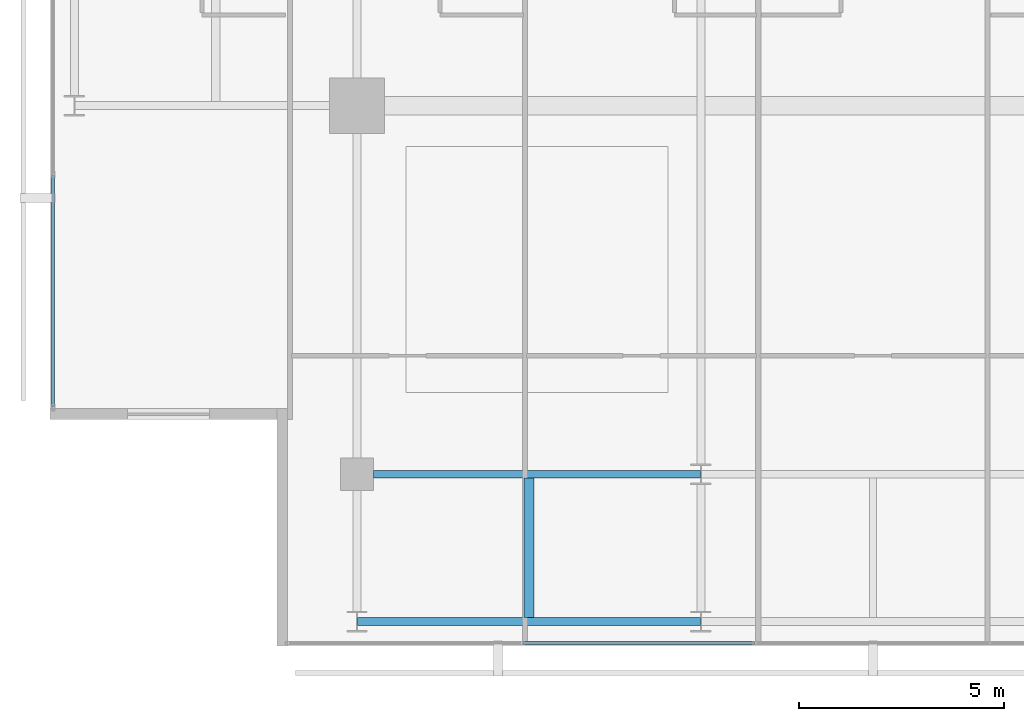
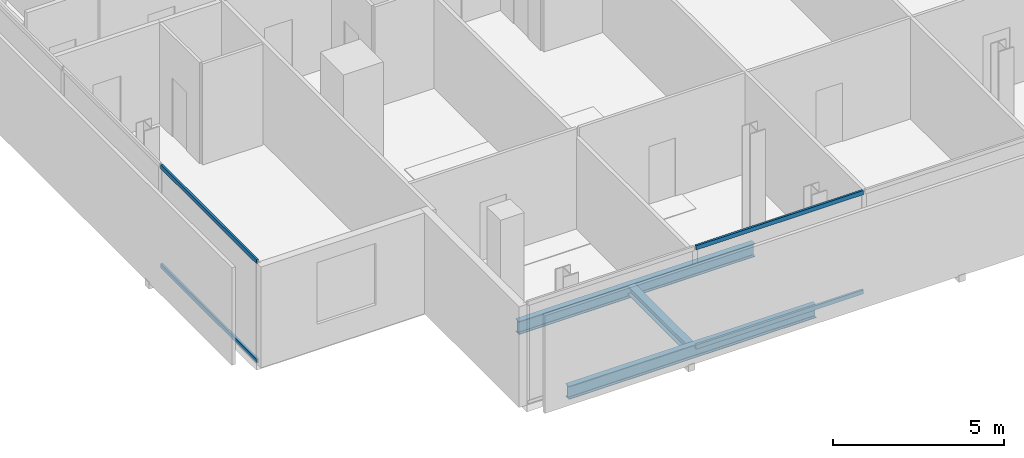
# One storey, part 3 of 24: 4 members, 3 beams, 2 elements without a shape of their own.
"""IFC4 building model written with IfcOpenShell, lengths in metres."""

from ifc_helpers import new_model, si_unit, direction, frame, origin, origin_2d, place, context, subcontext, project, spatial, hollow_rectangle, i_section, extrude, material, layer, layer_set, material_profile, profile_set, type_object, element, aggregate, save


model = new_model("IFC4")

# Units and contexts
model_context = context("Model", 3, precision=1e-05, world=origin(), true_north=direction((0.0, 1.0)))
body_context = subcontext(model_context, "Body", "Model", "MODEL_VIEW")
ifc_project = project(units=[si_unit("LENGTHUNIT", "METRE"), si_unit("AREAUNIT", "SQUARE_METRE"), si_unit("VOLUMEUNIT", "CUBIC_METRE"), si_unit("PLANEANGLEUNIT", "RADIAN"), si_unit("MASSUNIT", "GRAM", prefix="KILO")], contexts=[model_context])

# Site, building, storey
site_placement = place(None, origin())
site = spatial("IfcSite", under=ifc_project, at=site_placement, CompositionType="ELEMENT")
building_placement = place(site_placement, origin())
building = spatial("IfcBuilding", under=site, at=building_placement, Name="Maruvema Waterfront Hotel and Observation Tower", CompositionType="ELEMENT")
storey_placement = place(building_placement, frame((0.0, 0.0, 325.85009765625)))
storey = spatial("IfcBuildingStorey", under=building, at=storey_placement, Name="L80", CompositionType="ELEMENT", Elevation=325.85009765625)

# Curtain wall, members
ifc_material_1 = material(Name="Anodised bronze aluminium and solar-control low-E IGU", Category="aluminium")
ifc_layer = layer(ifc_material_1, 0.159912109375, Name="Zone 4 Sky Residence Inner Curtain Wall System CW-05")
ifc_layer_set = layer_set([ifc_layer], Name="Anodised bronze aluminium and solar-control low-E IGU")
curtain_wall_type = type_object("IfcCurtainWallType", Name="Zone 4 Sky Residence Inner Curtain Wall System CW-05", PredefinedType="USERDEFINED", material=ifc_layer_set)
curtain_wall_1_placement = place(storey_placement, origin())
curtain_wall_1 = element("IfcCurtainWall", 1, at=curtain_wall_1_placement, inside=storey, type_object=curtain_wall_type, Name="L80 Curtain Wall CW-L80-S", ObjectType="UNITISED CURTAIN WALL", PredefinedType="USERDEFINED")
ifc_material_2 = material(Name="Anodised architectural bronze aluminium", Category="aluminium")
ifc_material_profile_1 = material_profile(ifc_material_2, hollow_rectangle(XDim=0.070068359375, YDim=0.14990234375, WallThickness=0.00390625, at=origin_2d()), Name="ALU-T70x150")
ifc_profile_set_1 = profile_set([ifc_material_profile_1], Name="Anodised architectural bronze aluminium")
member_type = type_object("IfcMemberType", Name="Curtain Wall Horizontal Transom ALU-T70x150", PredefinedType="USERDEFINED", material=ifc_profile_set_1)
member_1_placement = place(storey_placement, frame((29.25, 13.8798828125, 0.02978515625), z_axis=(1.0, 0.0, 0.0), x_axis=(0.0, 1.0, 0.0)))
member_1 = element("IfcMember", 2, at=member_1_placement, type_object=member_type, Name="CW-05 transom 2.1", ObjectType="TRANSOM", PredefinedType="USERDEFINED", context=body_context, shape_type="SweptSolid", body=[
    extrude(hollow_rectangle(XDim=0.070068359375, YDim=0.14990234375, WallThickness=0.00390625, at=origin_2d()), origin(), (0.0, 0.0, 1.0), 5.659912109375),
])
member_2_placement = place(storey_placement, frame((29.25, 13.8798828125, 3.579833984375), z_axis=(1.0, 0.0, 0.0), x_axis=(0.0, 1.0, 0.0)))
member_2 = element("IfcMember", 3, at=member_2_placement, type_object=member_type, Name="CW-05 transom 2.2", ObjectType="TRANSOM", PredefinedType="USERDEFINED", context=body_context, shape_type="SweptSolid", body=[
    extrude(hollow_rectangle(XDim=0.070068359375, YDim=0.14990234375, WallThickness=0.00390625, at=origin_2d()), origin(), (0.0, 0.0, 1.0), 5.659912109375),
])
aggregate(curtain_wall_1, [member_1, member_2])

curtain_wall_2_placement = place(storey_placement, origin())
curtain_wall_2 = element("IfcCurtainWall", 4, at=curtain_wall_2_placement, inside=storey, type_object=curtain_wall_type, Name="L80 Curtain Wall CW-L80-W", ObjectType="UNITISED CURTAIN WALL", PredefinedType="USERDEFINED")
member_3_placement = place(storey_placement, frame((17.780029296875, 25.2900390625, 0.02978515625), z_axis=(0.0, -1.0, 0.0), x_axis=(1.0, 0.0, 0.0)))
member_3 = element("IfcMember", 5, at=member_3_placement, type_object=member_type, Name="CW-05 transom 5.1", ObjectType="TRANSOM", PredefinedType="USERDEFINED", context=body_context, shape_type="SweptSolid", body=[
    extrude(hollow_rectangle(XDim=0.070068359375, YDim=0.14990234375, WallThickness=0.00390625, at=origin_2d()), origin(), (0.0, 0.0, 1.0), 5.630126953125),
])
member_4_placement = place(storey_placement, frame((17.780029296875, 25.2900390625, 3.579833984375), z_axis=(0.0, -1.0, 0.0), x_axis=(1.0, 0.0, 0.0)))
member_4 = element("IfcMember", 6, at=member_4_placement, type_object=member_type, Name="CW-05 transom 5.2", ObjectType="TRANSOM", PredefinedType="USERDEFINED", context=body_context, shape_type="SweptSolid", body=[
    extrude(hollow_rectangle(XDim=0.070068359375, YDim=0.14990234375, WallThickness=0.00390625, at=origin_2d()), origin(), (0.0, 0.0, 1.0), 5.630126953125),
])
aggregate(curtain_wall_2, [member_3, member_4])

# Beams
ifc_material_3 = material(Name="Steel ASTM A572 Grade 50", Category="steel")
ifc_material_profile_2 = material_profile(ifc_material_3, i_section(OverallWidth=0.194091796875, OverallDepth=0.468994140625, WebThickness=0.0126953125, FlangeThickness=0.0205078125, FilletRadius=0.014892578125, at=origin_2d()), Name="W460x106.0")
ifc_profile_set_2 = profile_set([ifc_material_profile_2], Name="Steel ASTM A572 Grade 50")
beam_type_1 = type_object("IfcBeamType", Name="Primary Floor Girder W460x106.0", PredefinedType="BEAM", material=ifc_profile_set_2)
beam_1_placement = place(storey_placement, frame((25.2109375, 14.39990234375, -0.474609375), z_axis=(1.0, 0.0, 0.0), x_axis=(0.0, 1.0, 0.0)))
element("IfcBeam", 7, at=beam_1_placement, inside=storey, type_object=beam_type_1, Name="L80 Floor Girder EW-01", PredefinedType="BEAM", context=body_context, shape_type="SweptSolid", body=[
    extrude(i_section(OverallWidth=0.194091796875, OverallDepth=0.468994140625, WebThickness=0.0126953125, FlangeThickness=0.0205078125, FilletRadius=0.014892578125, at=origin_2d()), origin(), (0.0, 0.0, 1.0), 8.378173828125),
])
beam_2_placement = place(storey_placement, frame((25.60009765625, 18.0, -0.474609375), z_axis=(1.0, 0.0, 0.0), x_axis=(0.0, 1.0, 0.0)))
element("IfcBeam", 8, at=beam_2_placement, inside=storey, type_object=beam_type_1, Name="L80 Floor Girder EW-04", PredefinedType="BEAM", context=body_context, shape_type="SweptSolid", body=[
    extrude(i_section(OverallWidth=0.194091796875, OverallDepth=0.468994140625, WebThickness=0.0126953125, FlangeThickness=0.0205078125, FilletRadius=0.014892578125, at=origin_2d()), origin(), (0.0, 0.0, 1.0), 7.989013671875),
])
ifc_material_4 = material(Name="Steel ASTM A572 Grade 50", Category="steel")
ifc_material_profile_3 = material_profile(ifc_material_4, i_section(OverallWidth=0.25390625, OverallDepth=0.305908203125, WebThickness=0.0087890625, FlangeThickness=0.0146484375, FilletRadius=0.014892578125, at=origin_2d()), Name="W310x79.0")
ifc_profile_set_3 = profile_set([ifc_material_profile_3], Name="Steel ASTM A572 Grade 50")
beam_type_2 = type_object("IfcBeamType", Name="Secondary Floor Joist W310x79.0", PredefinedType="JOIST", material=ifc_profile_set_3)
beam_3_placement = place(storey_placement, frame((29.39990234375, 14.4970703125, -0.39306640625), z_axis=(0.0, 1.0, 0.0), x_axis=(-1.0, 0.0, 0.0)))
element("IfcBeam", 9, at=beam_3_placement, inside=storey, type_object=beam_type_2, Name="L80 Secondary Floor Joist JS-03", PredefinedType="JOIST", context=body_context, shape_type="SweptSolid", body=[
    extrude(i_section(OverallWidth=0.25390625, OverallDepth=0.305908203125, WebThickness=0.0087890625, FlangeThickness=0.0146484375, FilletRadius=0.014892578125, at=origin_2d()), origin(), (0.0, 0.0, 1.0), 3.406005859375),
])

save(model, "model.ifc")
